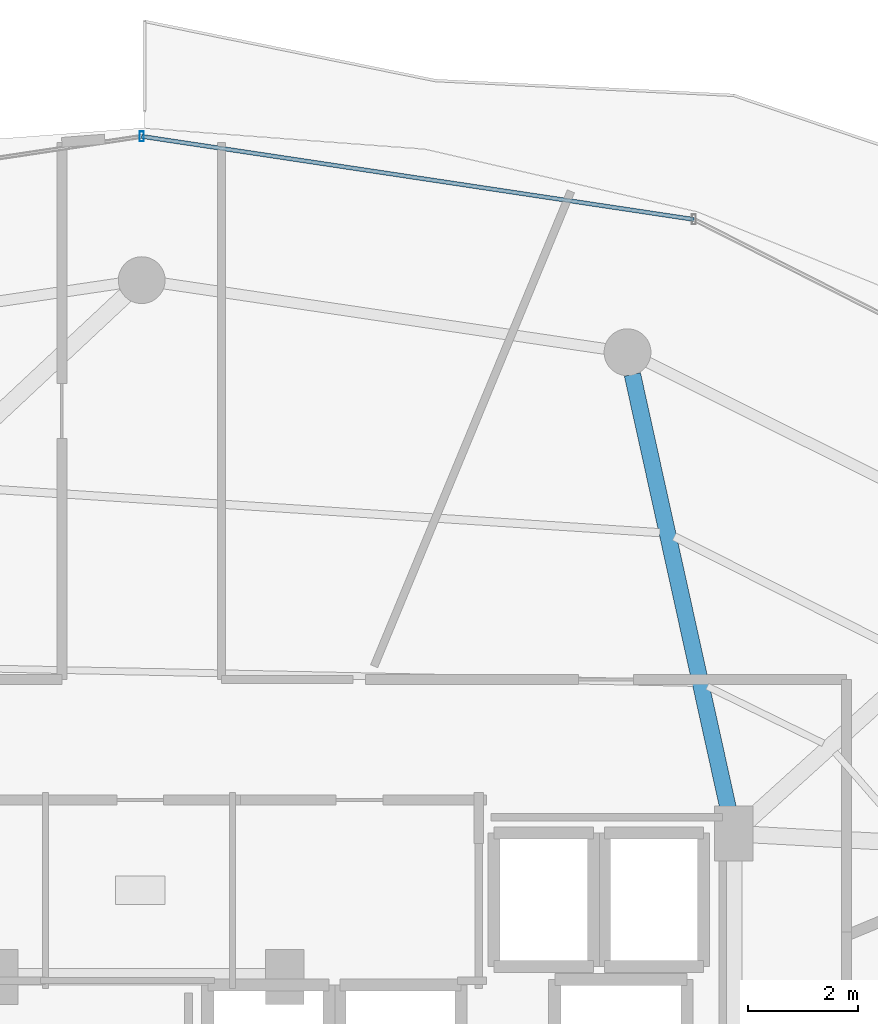
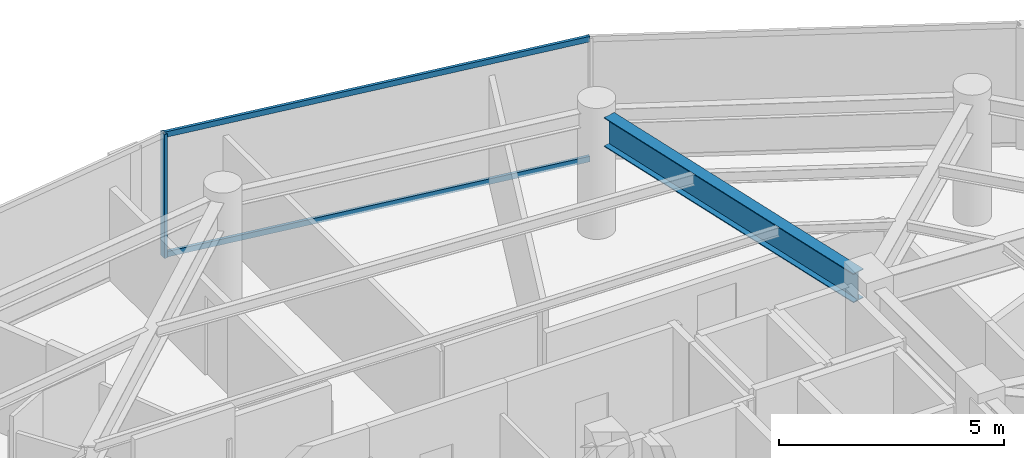
# One storey, part 19 of 30: 3 members, 1 beam, 1 element without a shape of its own.
"""IFC4 building model written with IfcOpenShell, lengths in metres."""

import ifcopenshell
import ifcopenshell.guid

model = None  # the IFC model being written
_history = None  # IfcOwnerHistory: only IFC2X3 demands one
_inside = {}  # id of a spatial element -> (the spatial element, [elements in it])
_under = {}  # id of a project, library or spatial element -> (it, [spatial elements below it])
_declared = {}  # id of a project -> (the project, [libraries it declares])
_typed = {}  # id of a type object -> (the type object, [elements of that type])
_made_of = {}  # id of a material, layer set ... -> (it, [elements and type objects made of it])


def new_model(schema):
    """Start an empty IFC model of exactly this schema.

    Asked for "IFC4X3", IfcOpenShell would pick the latest addendum, in which some entities
    have other attributes; the version numbers below select the first issue.
    IFC2X3 requires an IfcOwnerHistory on every rooted entity: one is made here for all.
    """
    global model, _history
    if schema == "IFC4X3":
        model = ifcopenshell.file(schema_version=(4, 3, 0, 0))
    else:
        model = ifcopenshell.file(schema=schema)
    _inside.clear()
    _under.clear()
    _declared.clear()
    _typed.clear()
    _made_of.clear()
    _history = None
    if model.schema == "IFC2X3":
        org = make("IfcOrganization", Name="unknown")
        user = make(
            "IfcPersonAndOrganization",
            ThePerson=make("IfcPerson", FamilyName="unknown"),
            TheOrganization=org,
        )
        app = make(
            "IfcApplication",
            ApplicationDeveloper=org,
            Version="unknown",
            ApplicationFullName="unknown",
            ApplicationIdentifier="unknown",
        )
        _history = make(
            "IfcOwnerHistory",
            OwningUser=user,
            OwningApplication=app,
            ChangeAction="ADDED",
            CreationDate=0,
        )
    return model


def make(cls, **values):
    """One entity of the class cls with the attributes given. An attribute that is None is left unset."""
    return model.create_entity(
        cls, **{name: value for name, value in values.items() if value is not None}
    )


def rooted(cls, **values):
    """An entity with a GlobalId (a new one), such as an element, a storey or a relation."""
    return make(cls, GlobalId=ifcopenshell.guid.new(), OwnerHistory=_history, **values)


def si_unit(unit_type, name, prefix=None):
    """IfcSIUnit, for example si_unit("LENGTHUNIT", "METRE", prefix="MILLI")."""
    return make("IfcSIUnit", UnitType=unit_type, Prefix=prefix, Name=name)


def assignment(units):
    """IfcUnitAssignment: the units of a project."""
    return None if units is None else make("IfcUnitAssignment", Units=units)


def point(xyz):
    """IfcCartesianPoint."""
    return None if xyz is None else make("IfcCartesianPoint", Coordinates=xyz)


def direction(xyz):
    """IfcDirection."""
    return None if xyz is None else make("IfcDirection", DirectionRatios=xyz)


def frame(location, z_axis=None, x_axis=None):
    """IfcAxis2Placement3D, a coordinate frame: its origin and axes. An axis left out is left unset."""
    return make(
        "IfcAxis2Placement3D",
        Location=point(location),
        Axis=direction(z_axis),
        RefDirection=direction(x_axis),
    )


def frame_2d(location, x_axis=None):
    """IfcAxis2Placement2D, a coordinate frame in the plane: its origin and x axis."""
    return make(
        "IfcAxis2Placement2D", Location=point(location), RefDirection=direction(x_axis)
    )


def origin():
    """The frame at (0, 0, 0) with its axes left unset."""
    return frame((0.0, 0.0, 0.0))


def origin_2d():
    """The frame at (0, 0) in the plane with its x axis left unset."""
    return frame_2d((0.0, 0.0))


def place(relative_to, where):
    """IfcLocalPlacement: puts the frame where relative to a parent placement (None: the world)."""
    return make(
        "IfcLocalPlacement", PlacementRelTo=relative_to, RelativePlacement=where
    )


def context(
    kind, dimensions, precision=None, world=None, true_north=None, identifier=None
):
    """IfcGeometricRepresentationContext, for example the 3D "Model" context."""
    return make(
        "IfcGeometricRepresentationContext",
        ContextIdentifier=identifier,
        ContextType=kind,
        CoordinateSpaceDimension=dimensions,
        Precision=precision,
        WorldCoordinateSystem=world,
        TrueNorth=true_north,
    )


def subcontext(parent, identifier, kind, view, scale=None):
    """IfcGeometricRepresentationSubContext, for example "Body" below "Model"."""
    return make(
        "IfcGeometricRepresentationSubContext",
        ContextIdentifier=identifier,
        ContextType=kind,
        ParentContext=parent,
        TargetScale=scale,
        TargetView=view,
    )


def project(units=None, contexts=None):
    """IfcProject with its units and contexts."""
    return rooted(
        "IfcProject",
        Name="project",
        RepresentationContexts=contexts,
        UnitsInContext=assignment(units),
    )


def spatial(cls, under=None, at=None, **own):
    """A site, building, storey or space (cls), placed at a placement, below another one or the project."""
    s = rooted(cls, ObjectPlacement=at, **own)
    if under is not None:
        _under.setdefault(under.id(), (under, []))[1].append(s)
    return s


def profile(cls, at=None, kind="AREA", **sizes):
    """A parametric profile (cls). Its sizes go by their IFC names, for example OverallWidth=200.0."""
    return make(cls, ProfileType=kind, Position=at, **sizes)


def hollow_rectangle(**sizes):
    """IfcRectangleHollowProfileDef."""
    return profile("IfcRectangleHollowProfileDef", **sizes)


def i_section(**sizes):
    """IfcIShapeProfileDef."""
    return profile("IfcIShapeProfileDef", **sizes)


def extrude(swept, where, along, depth):
    """IfcExtrudedAreaSolid: the profile swept, set in the frame where, extruded along a direction by depth."""
    return make(
        "IfcExtrudedAreaSolid",
        SweptArea=swept,
        Position=where,
        ExtrudedDirection=direction(along),
        Depth=depth,
    )


def shape(context_of_items, identifier, shape_type, items):
    """IfcShapeRepresentation: the items that make up one representation, for example the "Body"."""
    return make(
        "IfcShapeRepresentation",
        ContextOfItems=context_of_items,
        RepresentationIdentifier=identifier,
        RepresentationType=shape_type,
        Items=items,
    )


def material(Name=None, Category=None):
    """IfcMaterial."""
    return make("IfcMaterial", Name=Name, Category=Category)


def material_profile(
    of_material, cross_section, Name=None, Category=None, Priority=None
):
    """IfcMaterialProfile: a cross section and its material."""
    return make(
        "IfcMaterialProfile",
        Name=Name,
        Material=of_material,
        Profile=cross_section,
        Priority=Priority,
        Category=Category,
    )


def profile_set(profiles, Name=None, composite=None):
    """IfcMaterialProfileSet."""
    return make(
        "IfcMaterialProfileSet",
        Name=Name,
        MaterialProfiles=profiles,
        CompositeProfile=composite,
    )


def made_of(thing, what):
    """Note that an element or type object is made of a material, layer set ...; save() writes the relation."""
    if what is not None:
        _made_of.setdefault(what.id(), (what, []))[1].append(thing)
    return thing


def type_object(cls, material=None, **own):
    """A type object (cls), such as IfcWallType, which elements share."""
    return made_of(rooted(cls, **own), material)


def element(
    cls,
    number,
    at=None,
    inside=None,
    cuts=None,
    type_object=None,
    material=None,
    context=None,
    identifier="Body",
    shape_type=None,
    held_by="IfcProductDefinitionShape",
    body=None,
    shapes=None,
    **own,
):
    """One element of the class cls, such as IfcWall. Its Tag is "e" and its number.

    at: its placement. inside: the storey or other place that contains it. cuts: it is an
    opening in that element (IfcRelVoidsElement). A single representation is given by context,
    identifier, shape_type and body (its items); several are given by shapes. held_by: the class
    of the entity that holds the representations. save() writes the other relations.
    """
    e = rooted(cls, Tag="e%d" % number, ObjectPlacement=at, **own)
    if body is not None:
        shapes = [shape(context, identifier, shape_type, body)]
    if shapes is not None:
        e.Representation = make(held_by, Representations=shapes)
    if inside is not None:
        _inside.setdefault(inside.id(), (inside, []))[1].append(e)
    if cuts is not None:
        rooted(
            "IfcRelVoidsElement", RelatingBuildingElement=cuts, RelatedOpeningElement=e
        )
    if type_object is not None:
        _typed.setdefault(type_object.id(), (type_object, []))[1].append(e)
    return made_of(e, material)


def aggregate(whole, parts):
    """IfcRelAggregates: a whole, such as a stair, and the parts it consists of."""
    return rooted("IfcRelAggregates", RelatingObject=whole, RelatedObjects=parts)


def save(model, path):
    """Write the relations noted so far, then the file.

    IfcRelAggregates (storeys below a building ...), IfcRelContainedInSpatialStructure (elements
    in a storey), IfcRelDefinesByType, IfcRelAssociatesMaterial and IfcRelDeclares: one each for
    every whole, place, type object, material and project.
    """
    for whole, parts in _under.values():
        aggregate(whole, parts)
    for where, things in _inside.values():
        rooted(
            "IfcRelContainedInSpatialStructure",
            RelatedElements=things,
            RelatingStructure=where,
        )
    for kind, things in _typed.values():
        rooted("IfcRelDefinesByType", RelatedObjects=things, RelatingType=kind)
    for what, things in _made_of.values():
        rooted("IfcRelAssociatesMaterial", RelatedObjects=things, RelatingMaterial=what)
    for by, libraries in _declared.values():
        rooted("IfcRelDeclares", RelatingContext=by, RelatedDefinitions=libraries)
    model.write(path)


model = new_model("IFC4")

# Units and contexts
model_context = context("Model", 3, precision=1e-05, world=origin(), true_north=direction((0.0, 1.0)))
body_context = subcontext(model_context, "Body", "Model", "MODEL_VIEW")
ifc_project = project(units=[si_unit("LENGTHUNIT", "METRE"), si_unit("AREAUNIT", "SQUARE_METRE"), si_unit("VOLUMEUNIT", "CUBIC_METRE"), si_unit("PLANEANGLEUNIT", "RADIAN"), si_unit("MASSUNIT", "GRAM", prefix="KILO")], contexts=[model_context])

# Site, building, storey
site_placement = place(None, origin())
site = spatial("IfcSite", under=ifc_project, at=site_placement, CompositionType="ELEMENT")
building_placement = place(site_placement, origin())
building = spatial("IfcBuilding", under=site, at=building_placement, Name="Vorneva Point Tower", CompositionType="ELEMENT")
storey_placement = place(building_placement, frame((0.0, 0.0, 252.0)))
storey = spatial("IfcBuildingStorey", under=building, at=storey_placement, Name="L68", CompositionType="ELEMENT", Elevation=252.0)

# Beam
ifc_material_1 = material(Name="Steel S355", Category="steel")
ifc_material_profile_1 = material_profile(ifc_material_1, i_section(OverallWidth=0.300048828125, OverallDepth=0.7880859375, WebThickness=0.014404296875, FlangeThickness=0.02197265625, at=origin_2d()), Name="80Sh1")
ifc_profile_set_1 = profile_set([ifc_material_profile_1], Name="Steel S355")
beam_type = type_object("IfcBeamType", Name="BM-GRD-80Sh1", PredefinedType="USERDEFINED", material=ifc_profile_set_1)
beam_placement = place(storey_placement, frame((46.909912109375, 41.4873046875, 2.89599609375), z_axis=(0.215520742957, -0.976499262342, 0.0), x_axis=(0.976499262342, 0.215520742957, 0.0)))
element("IfcBeam", 1, at=beam_placement, inside=storey, type_object=beam_type, Name="L68 Radial Primary Girder 04", ObjectType="GIRDER", PredefinedType="USERDEFINED", context=body_context, shape_type="SweptSolid", body=[
    extrude(i_section(OverallWidth=0.300048828125, OverallDepth=0.7880859375, WebThickness=0.014404296875, FlangeThickness=0.02197265625, at=origin_2d()), origin(), (0.0, 0.0, 1.0), 8.197998046875),
])

# Curtain wall, members
ifc_material_2 = material(Name="Pale anodised aluminium", Category="aluminium")
curtain_wall_type = type_object("IfcCurtainWallType", Name="CW-RES-SYS", PredefinedType="NOTDEFINED", material=ifc_material_2)
curtain_wall_placement = place(storey_placement, origin())
curtain_wall = element("IfcCurtainWall", 2, at=curtain_wall_placement, inside=storey, type_object=curtain_wall_type, Name="L68 Unitised Curtain Wall CW-L68-R02", PredefinedType="NOTDEFINED")
ifc_material_profile_2 = material_profile(ifc_material_2, hollow_rectangle(XDim=0.074951171875, YDim=0.179931640625, WallThickness=0.00390625, at=origin_2d()), Name="AL-MUL 180x75x4")
ifc_profile_set_2 = profile_set([ifc_material_profile_2], Name="Pale anodised aluminium")
member_type_1 = type_object("IfcMemberType", Name="CW-MUL-180", PredefinedType="MULLION", material=ifc_profile_set_2)
member_1_placement = place(storey_placement, frame((38.0, 45.81005859375, -0.0400390625), z_axis=(0.0, 0.0, 1.0), x_axis=(1.0, 0.0, 0.0)))
member_1 = element("IfcMember", 3, at=member_1_placement, type_object=member_type_1, Name="CW-L68-R02 Mullion 03", PredefinedType="MULLION", context=body_context, shape_type="SweptSolid", body=[
    extrude(hollow_rectangle(XDim=0.074951171875, YDim=0.179931640625, WallThickness=0.00390625, at=origin_2d()), origin(), (0.0, 0.0, 1.0), 3.360107421875),
])
ifc_material_profile_3 = material_profile(ifc_material_2, hollow_rectangle(XDim=0.074951171875, YDim=0.14990234375, WallThickness=0.00390625, at=origin_2d()), Name="AL-TRN 150x75x4")
ifc_profile_set_3 = profile_set([ifc_material_profile_3], Name="Pale anodised aluminium")
member_type_2 = type_object("IfcMemberType", Name="CW-TRN-150", PredefinedType="USERDEFINED", material=ifc_profile_set_3)
member_2_placement = place(storey_placement, frame((48.0263671875, 44.302001953125, 0.02001953125), z_axis=(-0.988876929856, 0.148736066907, 0.0), x_axis=(-0.148736066907, -0.988876929856, 0.0)))
member_2 = element("IfcMember", 4, at=member_2_placement, type_object=member_type_2, Name="CW-L68-R02 Transom 02.1", ObjectType="TRANSOM", PredefinedType="USERDEFINED", context=body_context, shape_type="SweptSolid", body=[
    extrude(hollow_rectangle(XDim=0.074951171875, YDim=0.14990234375, WallThickness=0.00390625, at=origin_2d()), origin(), (0.0, 0.0, 1.0), 10.13916015625),
])
member_3_placement = place(storey_placement, frame((48.0263671875, 44.302001953125, 3.27001953125), z_axis=(-0.988876929856, 0.148736066907, 0.0), x_axis=(-0.148736066907, -0.988876929856, 0.0)))
member_3 = element("IfcMember", 5, at=member_3_placement, type_object=member_type_2, Name="CW-L68-R02 Transom 02.2", ObjectType="TRANSOM", PredefinedType="USERDEFINED", context=body_context, shape_type="SweptSolid", body=[
    extrude(hollow_rectangle(XDim=0.074951171875, YDim=0.14990234375, WallThickness=0.00390625, at=origin_2d()), origin(), (0.0, 0.0, 1.0), 10.13916015625),
])
aggregate(curtain_wall, [member_1, member_2, member_3])

save(model, "model.ifc")
